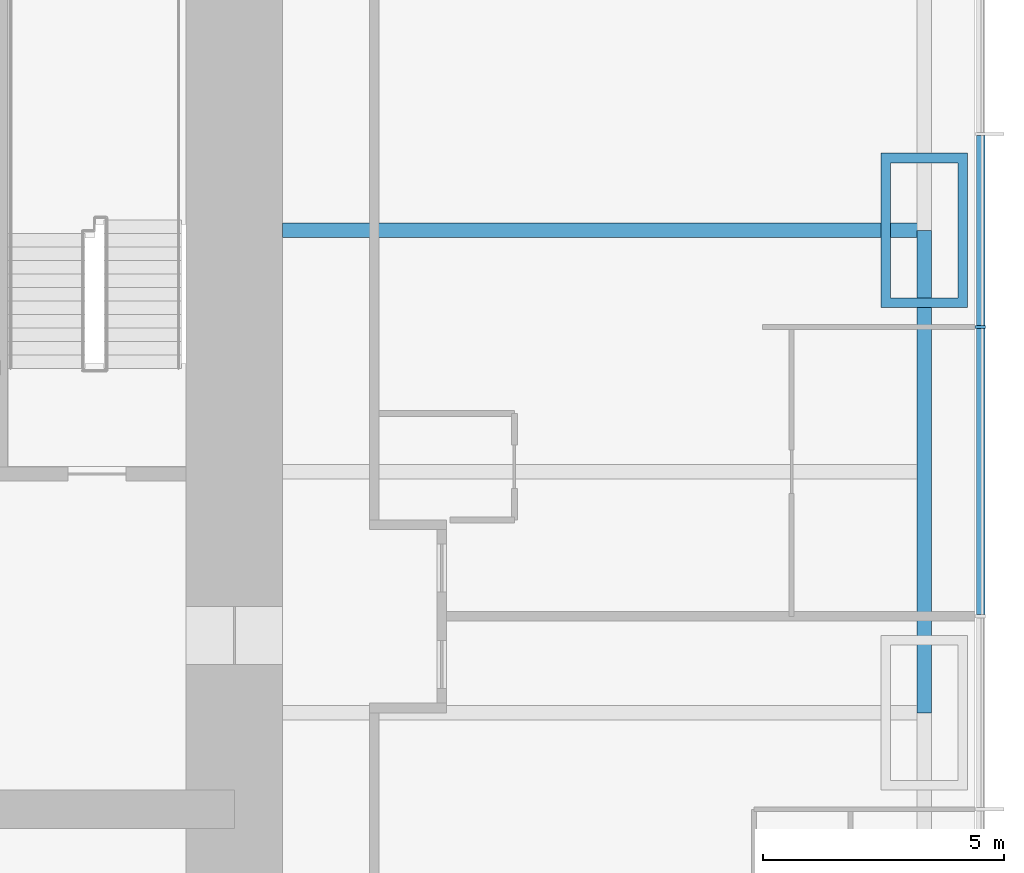
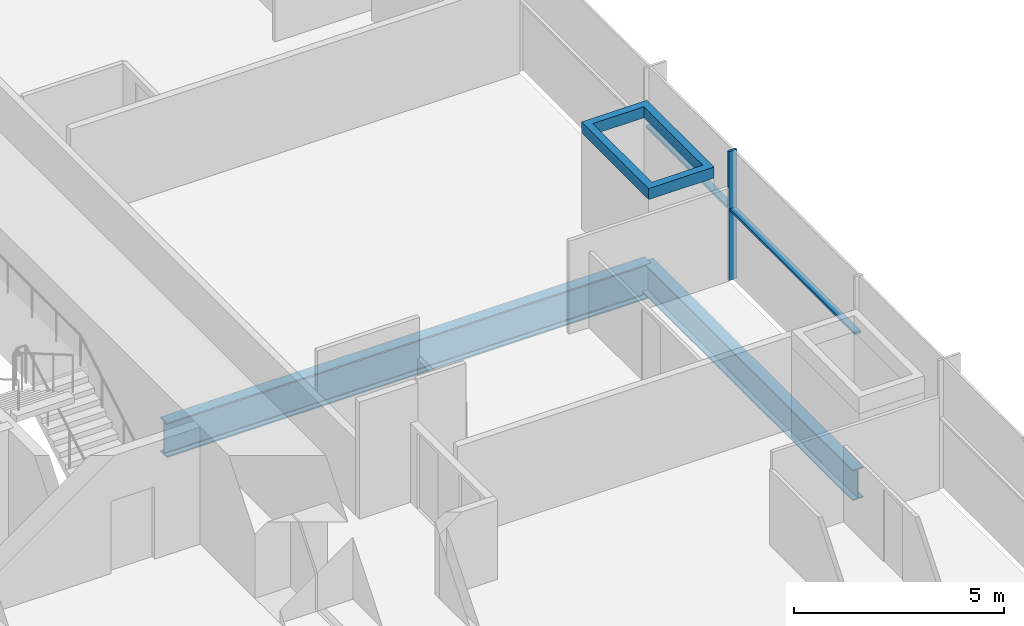
# One storey, part 5 of 17: 4 members, 2 beams, 1 element without a shape of its own.
"""IFC4 building model written with IfcOpenShell, lengths in metres."""

from ifc_helpers import new_model, si_unit, direction, frame, origin, origin_2d, place, context, subcontext, project, spatial, rectangle, hollow_rectangle, i_section, extrude, material, material_profile, profile_set, type_object, element, aggregate, save


model = new_model("IFC4")

# Units and contexts
model_context = context("Model", 3, precision=1e-05, world=origin(), true_north=direction((0.0, 1.0)))
body_context = subcontext(model_context, "Body", "Model", "MODEL_VIEW")
ifc_project = project(units=[si_unit("LENGTHUNIT", "METRE"), si_unit("AREAUNIT", "SQUARE_METRE"), si_unit("VOLUMEUNIT", "CUBIC_METRE"), si_unit("PLANEANGLEUNIT", "RADIAN"), si_unit("MASSUNIT", "GRAM", prefix="KILO")], contexts=[model_context])

# Site, building, storey
site_placement = place(None, origin())
site = spatial("IfcSite", under=ifc_project, at=site_placement, CompositionType="ELEMENT")
building_placement = place(site_placement, origin())
building = spatial("IfcBuilding", under=site, at=building_placement, Name="Khuree Lantern Residences", CompositionType="ELEMENT")
storey_placement = place(building_placement, frame((0.0, 0.0, 96.0)))
storey = spatial("IfcBuildingStorey", under=building, at=storey_placement, Name="L24", CompositionType="ELEMENT", Elevation=96.0)

# Beams
ifc_material_1 = material(Name="Steel S355", Category="steel")
ifc_material_profile_1 = material_profile(ifc_material_1, i_section(OverallWidth=0.300048828125, OverallDepth=0.889892578125, WebThickness=0.01611328125, FlangeThickness=0.030029296875, FilletRadius=0.030029296875, at=origin_2d()), Name="HE 900 A")
ifc_profile_set_1 = profile_set([ifc_material_profile_1], Name="Steel S355")
beam_type_1 = type_object("IfcBeamType", Name="E-15A SPANDREL BEAM HE 900 A", PredefinedType="SPANDREL", material=ifc_profile_set_1)
beam_1_placement = place(storey_placement, frame((29.800048828125, 0.0, -0.695068359375), z_axis=(0.0, -1.0, 0.0), x_axis=(1.0, 0.0, 0.0)))
element("IfcBeam", 1, at=beam_1_placement, inside=storey, type_object=beam_type_1, Name="Spandrel beam E4", PredefinedType="SPANDREL", context=body_context, shape_type="SweptSolid", body=[
    extrude(i_section(OverallWidth=0.300048828125, OverallDepth=0.889892578125, WebThickness=0.01611328125, FlangeThickness=0.030029296875, FilletRadius=0.030029296875, at=origin_2d()), origin(), (0.0, 0.0, 1.0), 10.0),
])
ifc_material_profile_2 = material_profile(ifc_material_1, i_section(OverallWidth=0.302001953125, OverallDepth=1.008056640625, WebThickness=0.02099609375, FlangeThickness=0.0400390625, FilletRadius=0.030029296875, at=origin_2d()), Name="HE 1000 M")
ifc_profile_set_2 = profile_set([ifc_material_profile_2], Name="Steel S355")
beam_type_2 = type_object("IfcBeamType", Name="G-15 GIRDER HE 1000 M", PredefinedType="BEAM", material=ifc_profile_set_2)
beam_2_placement = place(storey_placement, frame((29.800048828125, 0.0, -0.75390625), z_axis=(-1.0, 0.0, 0.0), x_axis=(0.0, -1.0, 0.0)))
element("IfcBeam", 2, at=beam_2_placement, inside=storey, type_object=beam_type_2, Name="Girder E3", PredefinedType="BEAM", context=body_context, shape_type="SweptSolid", body=[
    extrude(i_section(OverallWidth=0.302001953125, OverallDepth=1.008056640625, WebThickness=0.02099609375, FlangeThickness=0.0400390625, FilletRadius=0.030029296875, at=origin_2d()), origin(), (0.0, 0.0, 1.0), 13.300048828125),
])

# Curtain wall, member
ifc_material_2 = material(Name="Bronze anodised aluminium", Category="aluminium")
curtain_wall_type = type_object("IfcCurtainWallType", Name="CW-T1 TOWER FACE CURTAIN WALL", PredefinedType="USERDEFINED", material=ifc_material_2)
curtain_wall_placement = place(storey_placement, origin())
curtain_wall = element("IfcCurtainWall", 3, at=curtain_wall_placement, inside=storey, type_object=curtain_wall_type, Name="L24 EAST FACE CURTAIN WALL", ObjectType="Stick-built curtain wall", PredefinedType="USERDEFINED")
ifc_material_profile_3 = material_profile(ifc_material_2, rectangle(XDim=0.06494140625, YDim=0.219970703125, at=origin_2d()), Name="M1 65X220")
ifc_profile_set_3 = profile_set([ifc_material_profile_3], Name="Bronze anodised aluminium")
member_type_1 = type_object("IfcMemberType", Name="M1 BRONZE MULLION TOWER 65X220", PredefinedType="MULLION", material=ifc_profile_set_3)
member_1_placement = place(storey_placement, frame((30.9599609375, -2.0, 0.0), z_axis=(0.0, 0.0, 1.0), x_axis=(0.0, 1.0, 0.0)))
member_1 = element("IfcMember", 4, at=member_1_placement, type_object=member_type_1, Name="L24 EAST FACE MULLION 9", PredefinedType="MULLION", context=body_context, shape_type="SweptSolid", body=[
    extrude(rectangle(XDim=0.06494140625, YDim=0.219970703125, at=origin_2d()), origin(), (0.0, 0.0, 1.0), 3.75),
])

# Member
ifc_material_3 = material(Name="Steel S355 CFT welded box", Category="steel")
ifc_material_profile_4 = material_profile(ifc_material_3, hollow_rectangle(XDim=3.199951171875, YDim=1.800048828125, WallThickness=0.199951171875, at=origin_2d()), Name="WELDED BOX 3200X1800X200")
ifc_profile_set_4 = profile_set([ifc_material_profile_4], Name="Steel S355 CFT welded box")
member_type_2 = type_object("IfcMemberType", Name="MN MEGA COLUMN NODE WELDED BOX 3200X1800X200", PredefinedType="MEMBER", material=ifc_profile_set_4)
member_2_placement = place(storey_placement, frame((29.800048828125, 0.0, 2.780029296875), z_axis=(0.0, 0.0, 1.0), x_axis=(0.0, 1.0, 0.0)))
element("IfcMember", 5, at=member_2_placement, inside=storey, type_object=member_type_2, Name="Mega column node E3", PredefinedType="MEMBER", context=body_context, shape_type="SweptSolid", body=[
    extrude(hollow_rectangle(XDim=3.199951171875, YDim=1.800048828125, WallThickness=0.199951171875, at=origin_2d()), origin(), (0.0, 0.0, 1.0), 0.320068359375),
])

ifc_material_profile_5 = material_profile(ifc_material_2, rectangle(XDim=0.179931640625, YDim=0.06494140625, at=origin_2d()), Name="T1 180X65")
ifc_profile_set_5 = profile_set([ifc_material_profile_5], Name="Bronze anodised aluminium")
member_type_3 = type_object("IfcMemberType", Name="TRANSOM T1 TOWER 180X65", PredefinedType="USERDEFINED", material=ifc_profile_set_5)
member_3_placement = place(storey_placement, frame((30.969970703125, -7.967529296875, 2.050048828125), z_axis=(0.0, 1.0, 0.0), x_axis=(-1.0, 0.0, 0.0)))
member_3 = element("IfcMember", 6, at=member_3_placement, type_object=member_type_3, Name="L24 EAST FACE TRANSOM 8.1", ObjectType="Transom", PredefinedType="USERDEFINED", context=body_context, shape_type="SweptSolid", body=[
    extrude(rectangle(XDim=0.179931640625, YDim=0.06494140625, at=origin_2d()), origin(), (0.0, 0.0, 1.0), 5.93505859375),
])

member_4_placement = place(storey_placement, frame((30.969970703125, -1.967529296875, 2.050048828125), z_axis=(0.0, 1.0, 0.0), x_axis=(-1.0, 0.0, 0.0)))
member_4 = element("IfcMember", 7, at=member_4_placement, type_object=member_type_3, Name="L24 EAST FACE TRANSOM 9.1", ObjectType="Transom", PredefinedType="USERDEFINED", context=body_context, shape_type="SweptSolid", body=[
    extrude(rectangle(XDim=0.179931640625, YDim=0.06494140625, at=origin_2d()), origin(), (0.0, 0.0, 1.0), 3.93505859375),
])

aggregate(curtain_wall, [member_1, member_3, member_4])

save(model, "model.ifc")
